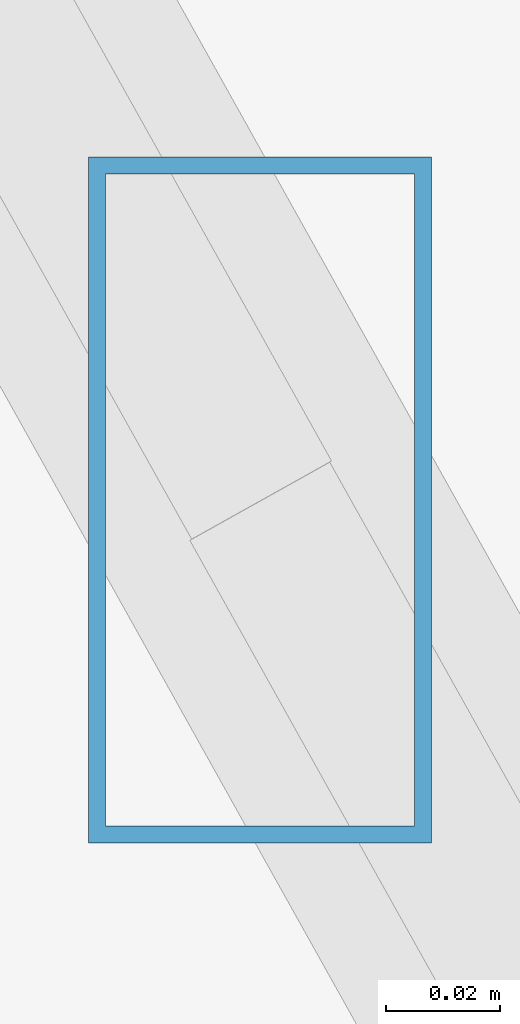
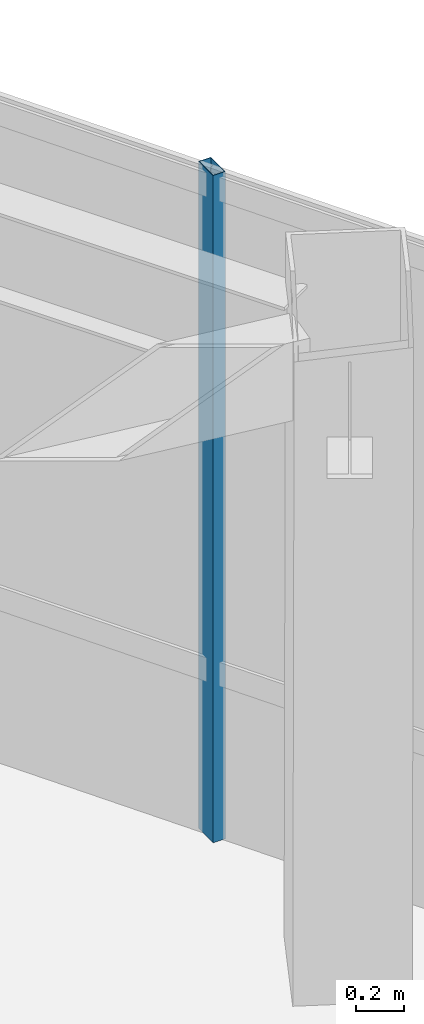
# One storey, part 25 of 48: 1 member, 1 element without a shape of its own.
"""IFC4 building model written with IfcOpenShell, lengths in metres."""

import ifcopenshell
import ifcopenshell.guid

model = None  # the IFC model being written
_history = None  # IfcOwnerHistory: only IFC2X3 demands one
_inside = {}  # id of a spatial element -> (the spatial element, [elements in it])
_under = {}  # id of a project, library or spatial element -> (it, [spatial elements below it])
_declared = {}  # id of a project -> (the project, [libraries it declares])
_typed = {}  # id of a type object -> (the type object, [elements of that type])
_made_of = {}  # id of a material, layer set ... -> (it, [elements and type objects made of it])


def new_model(schema):
    """Start an empty IFC model of exactly this schema.

    Asked for "IFC4X3", IfcOpenShell would pick the latest addendum, in which some entities
    have other attributes; the version numbers below select the first issue.
    IFC2X3 requires an IfcOwnerHistory on every rooted entity: one is made here for all.
    """
    global model, _history
    if schema == "IFC4X3":
        model = ifcopenshell.file(schema_version=(4, 3, 0, 0))
    else:
        model = ifcopenshell.file(schema=schema)
    _inside.clear()
    _under.clear()
    _declared.clear()
    _typed.clear()
    _made_of.clear()
    _history = None
    if model.schema == "IFC2X3":
        org = make("IfcOrganization", Name="unknown")
        user = make(
            "IfcPersonAndOrganization",
            ThePerson=make("IfcPerson", FamilyName="unknown"),
            TheOrganization=org,
        )
        app = make(
            "IfcApplication",
            ApplicationDeveloper=org,
            Version="unknown",
            ApplicationFullName="unknown",
            ApplicationIdentifier="unknown",
        )
        _history = make(
            "IfcOwnerHistory",
            OwningUser=user,
            OwningApplication=app,
            ChangeAction="ADDED",
            CreationDate=0,
        )
    return model


def make(cls, **values):
    """One entity of the class cls with the attributes given. An attribute that is None is left unset."""
    return model.create_entity(
        cls, **{name: value for name, value in values.items() if value is not None}
    )


def rooted(cls, **values):
    """An entity with a GlobalId (a new one), such as an element, a storey or a relation."""
    return make(cls, GlobalId=ifcopenshell.guid.new(), OwnerHistory=_history, **values)


def si_unit(unit_type, name, prefix=None):
    """IfcSIUnit, for example si_unit("LENGTHUNIT", "METRE", prefix="MILLI")."""
    return make("IfcSIUnit", UnitType=unit_type, Prefix=prefix, Name=name)


def assignment(units):
    """IfcUnitAssignment: the units of a project."""
    return None if units is None else make("IfcUnitAssignment", Units=units)


def point(xyz):
    """IfcCartesianPoint."""
    return None if xyz is None else make("IfcCartesianPoint", Coordinates=xyz)


def direction(xyz):
    """IfcDirection."""
    return None if xyz is None else make("IfcDirection", DirectionRatios=xyz)


def frame(location, z_axis=None, x_axis=None):
    """IfcAxis2Placement3D, a coordinate frame: its origin and axes. An axis left out is left unset."""
    return make(
        "IfcAxis2Placement3D",
        Location=point(location),
        Axis=direction(z_axis),
        RefDirection=direction(x_axis),
    )


def frame_2d(location, x_axis=None):
    """IfcAxis2Placement2D, a coordinate frame in the plane: its origin and x axis."""
    return make(
        "IfcAxis2Placement2D", Location=point(location), RefDirection=direction(x_axis)
    )


def origin():
    """The frame at (0, 0, 0) with its axes left unset."""
    return frame((0.0, 0.0, 0.0))


def origin_2d():
    """The frame at (0, 0) in the plane with its x axis left unset."""
    return frame_2d((0.0, 0.0))


def place(relative_to, where):
    """IfcLocalPlacement: puts the frame where relative to a parent placement (None: the world)."""
    return make(
        "IfcLocalPlacement", PlacementRelTo=relative_to, RelativePlacement=where
    )


def context(
    kind, dimensions, precision=None, world=None, true_north=None, identifier=None
):
    """IfcGeometricRepresentationContext, for example the 3D "Model" context."""
    return make(
        "IfcGeometricRepresentationContext",
        ContextIdentifier=identifier,
        ContextType=kind,
        CoordinateSpaceDimension=dimensions,
        Precision=precision,
        WorldCoordinateSystem=world,
        TrueNorth=true_north,
    )


def subcontext(parent, identifier, kind, view, scale=None):
    """IfcGeometricRepresentationSubContext, for example "Body" below "Model"."""
    return make(
        "IfcGeometricRepresentationSubContext",
        ContextIdentifier=identifier,
        ContextType=kind,
        ParentContext=parent,
        TargetScale=scale,
        TargetView=view,
    )


def project(units=None, contexts=None):
    """IfcProject with its units and contexts."""
    return rooted(
        "IfcProject",
        Name="project",
        RepresentationContexts=contexts,
        UnitsInContext=assignment(units),
    )


def spatial(cls, under=None, at=None, **own):
    """A site, building, storey or space (cls), placed at a placement, below another one or the project."""
    s = rooted(cls, ObjectPlacement=at, **own)
    if under is not None:
        _under.setdefault(under.id(), (under, []))[1].append(s)
    return s


def profile(cls, at=None, kind="AREA", **sizes):
    """A parametric profile (cls). Its sizes go by their IFC names, for example OverallWidth=200.0."""
    return make(cls, ProfileType=kind, Position=at, **sizes)


def hollow_rectangle(**sizes):
    """IfcRectangleHollowProfileDef."""
    return profile("IfcRectangleHollowProfileDef", **sizes)


def extrude(swept, where, along, depth):
    """IfcExtrudedAreaSolid: the profile swept, set in the frame where, extruded along a direction by depth."""
    return make(
        "IfcExtrudedAreaSolid",
        SweptArea=swept,
        Position=where,
        ExtrudedDirection=direction(along),
        Depth=depth,
    )


def shape(context_of_items, identifier, shape_type, items):
    """IfcShapeRepresentation: the items that make up one representation, for example the "Body"."""
    return make(
        "IfcShapeRepresentation",
        ContextOfItems=context_of_items,
        RepresentationIdentifier=identifier,
        RepresentationType=shape_type,
        Items=items,
    )


def source(mapping_origin, context_of_items, identifier, shape_type, items):
    """IfcRepresentationMap: a shape defined once, which mapped items show again and again."""
    return make(
        "IfcRepresentationMap",
        MappingOrigin=mapping_origin,
        MappedRepresentation=shape(context_of_items, identifier, shape_type, items),
    )


def transform(
    local_origin,
    x_axis=None,
    y_axis=None,
    z_axis=None,
    scale=None,
    scale2=None,
    scale3=None,
    uniform=True,
):
    """IfcCartesianTransformationOperator3D, or its non-uniform kind. x_axis, y_axis, z_axis: its Axis1, 2, 3."""
    if uniform:
        return make(
            "IfcCartesianTransformationOperator3D",
            Axis1=direction(x_axis),
            Axis2=direction(y_axis),
            LocalOrigin=point(local_origin),
            Scale=scale,
            Axis3=direction(z_axis),
        )
    return make(
        "IfcCartesianTransformationOperator3DnonUniform",
        Axis1=direction(x_axis),
        Axis2=direction(y_axis),
        LocalOrigin=point(local_origin),
        Scale=scale,
        Axis3=direction(z_axis),
        Scale2=scale2,
        Scale3=scale3,
    )


def mapped(mapping_source, mapping_target):
    """IfcMappedItem: shows the shape of a source again, moved by a transform."""
    return make(
        "IfcMappedItem", MappingSource=mapping_source, MappingTarget=mapping_target
    )


def material(Name=None, Category=None):
    """IfcMaterial."""
    return make("IfcMaterial", Name=Name, Category=Category)


def material_profile(
    of_material, cross_section, Name=None, Category=None, Priority=None
):
    """IfcMaterialProfile: a cross section and its material."""
    return make(
        "IfcMaterialProfile",
        Name=Name,
        Material=of_material,
        Profile=cross_section,
        Priority=Priority,
        Category=Category,
    )


def profile_set(profiles, Name=None, composite=None):
    """IfcMaterialProfileSet."""
    return make(
        "IfcMaterialProfileSet",
        Name=Name,
        MaterialProfiles=profiles,
        CompositeProfile=composite,
    )


def made_of(thing, what):
    """Note that an element or type object is made of a material, layer set ...; save() writes the relation."""
    if what is not None:
        _made_of.setdefault(what.id(), (what, []))[1].append(thing)
    return thing


def type_object(cls, material=None, **own):
    """A type object (cls), such as IfcWallType, which elements share."""
    return made_of(rooted(cls, **own), material)


def type_shapes(of_type, sources):
    """Give a type object the sources (RepresentationMaps) that its elements show as mapped items."""
    of_type.RepresentationMaps = sources


def element(
    cls,
    number,
    at=None,
    inside=None,
    cuts=None,
    type_object=None,
    material=None,
    context=None,
    identifier="Body",
    shape_type=None,
    held_by="IfcProductDefinitionShape",
    body=None,
    shapes=None,
    **own,
):
    """One element of the class cls, such as IfcWall. Its Tag is "e" and its number.

    at: its placement. inside: the storey or other place that contains it. cuts: it is an
    opening in that element (IfcRelVoidsElement). A single representation is given by context,
    identifier, shape_type and body (its items); several are given by shapes. held_by: the class
    of the entity that holds the representations. save() writes the other relations.
    """
    e = rooted(cls, Tag="e%d" % number, ObjectPlacement=at, **own)
    if body is not None:
        shapes = [shape(context, identifier, shape_type, body)]
    if shapes is not None:
        e.Representation = make(held_by, Representations=shapes)
    if inside is not None:
        _inside.setdefault(inside.id(), (inside, []))[1].append(e)
    if cuts is not None:
        rooted(
            "IfcRelVoidsElement", RelatingBuildingElement=cuts, RelatedOpeningElement=e
        )
    if type_object is not None:
        _typed.setdefault(type_object.id(), (type_object, []))[1].append(e)
    return made_of(e, material)


def aggregate(whole, parts):
    """IfcRelAggregates: a whole, such as a stair, and the parts it consists of."""
    return rooted("IfcRelAggregates", RelatingObject=whole, RelatedObjects=parts)


def save(model, path):
    """Write the relations noted so far, then the file.

    IfcRelAggregates (storeys below a building ...), IfcRelContainedInSpatialStructure (elements
    in a storey), IfcRelDefinesByType, IfcRelAssociatesMaterial and IfcRelDeclares: one each for
    every whole, place, type object, material and project.
    """
    for whole, parts in _under.values():
        aggregate(whole, parts)
    for where, things in _inside.values():
        rooted(
            "IfcRelContainedInSpatialStructure",
            RelatedElements=things,
            RelatingStructure=where,
        )
    for kind, things in _typed.values():
        rooted("IfcRelDefinesByType", RelatedObjects=things, RelatingType=kind)
    for what, things in _made_of.values():
        rooted("IfcRelAssociatesMaterial", RelatedObjects=things, RelatingMaterial=what)
    for by, libraries in _declared.values():
        rooted("IfcRelDeclares", RelatingContext=by, RelatedDefinitions=libraries)
    model.write(path)


model = new_model("IFC4")

# Units and contexts
model_context = context("Model", 3, precision=1e-05, world=origin(), true_north=direction((0.0, 1.0)))
body_context = subcontext(model_context, "Body", "Model", "MODEL_VIEW")
ifc_project = project(units=[si_unit("LENGTHUNIT", "METRE"), si_unit("AREAUNIT", "SQUARE_METRE"), si_unit("VOLUMEUNIT", "CUBIC_METRE"), si_unit("PLANEANGLEUNIT", "RADIAN"), si_unit("MASSUNIT", "GRAM", prefix="KILO")], contexts=[model_context])

# Site, building, storey
site_placement = place(None, origin())
site = spatial("IfcSite", under=ifc_project, at=site_placement, CompositionType="ELEMENT")
building_placement = place(site_placement, origin())
building = spatial("IfcBuilding", under=site, at=building_placement, Name="Caelisora Broadcast Tower", CompositionType="ELEMENT")
storey_placement = place(building_placement, frame((0.0, 0.0, 277.300048828125)))
storey = spatial("IfcBuildingStorey", under=building, at=storey_placement, Name="L73", CompositionType="ELEMENT", Elevation=277.300048828125)

# Curtain wall, member
ifc_material_1 = material(Name="Unitised Aluminium and Low-E Glass Curtain Wall", Category="glass")
curtain_wall_type = type_object("IfcCurtainWallType", Name="CW-Z5", PredefinedType="NOTDEFINED", material=ifc_material_1)
curtain_wall_placement = place(storey_placement, origin())
curtain_wall = element("IfcCurtainWall", 1, at=curtain_wall_placement, inside=storey, type_object=curtain_wall_type, Name="L73 curtain wall CW-Z5", PredefinedType="NOTDEFINED")
ifc_material_2 = material(Name="Aluminium 6063-T6 Anodised Terracotta Bronze", Category="aluminium")
ifc_material_profile = material_profile(ifc_material_2, hollow_rectangle(XDim=0.06005859375, YDim=0.1201171875, WallThickness=0.0029296875, at=origin_2d()), Name="Aluminium 6063-T6 Anodised Terracotta Bronze")
ifc_profile_set = profile_set([ifc_material_profile], Name="Aluminium 6063-T6 Anodised Terracotta Bronze")
member_type = type_object("IfcMemberType", Name="CWM-04", PredefinedType="MULLION", material=ifc_profile_set)
shared_shape = source(origin(), body_context, "Body", "SweptSolid", [
    extrude(hollow_rectangle(XDim=0.06005859375, YDim=0.1201171875, WallThickness=0.0029296875, at=origin_2d()), origin(), (0.0, 0.0, 1.0), 3.39990234375),
])
type_shapes(member_type, [shared_shape])
member_placement = place(storey_placement, frame((59.343994140625, 16.682373046875, 0.0), z_axis=(0.0, 0.0, 1.0), x_axis=(1.0, 0.0, 0.0)))
member = element("IfcMember", 2, at=member_placement, type_object=member_type, Name="L73-CW-B03 mullion #2", PredefinedType="MULLION", context=body_context, shape_type="MappedRepresentation", body=[
    mapped(shared_shape, transform((0.0, 0.0, 0.0), scale=1.0)),
])
aggregate(curtain_wall, [member])

save(model, "model.ifc")
